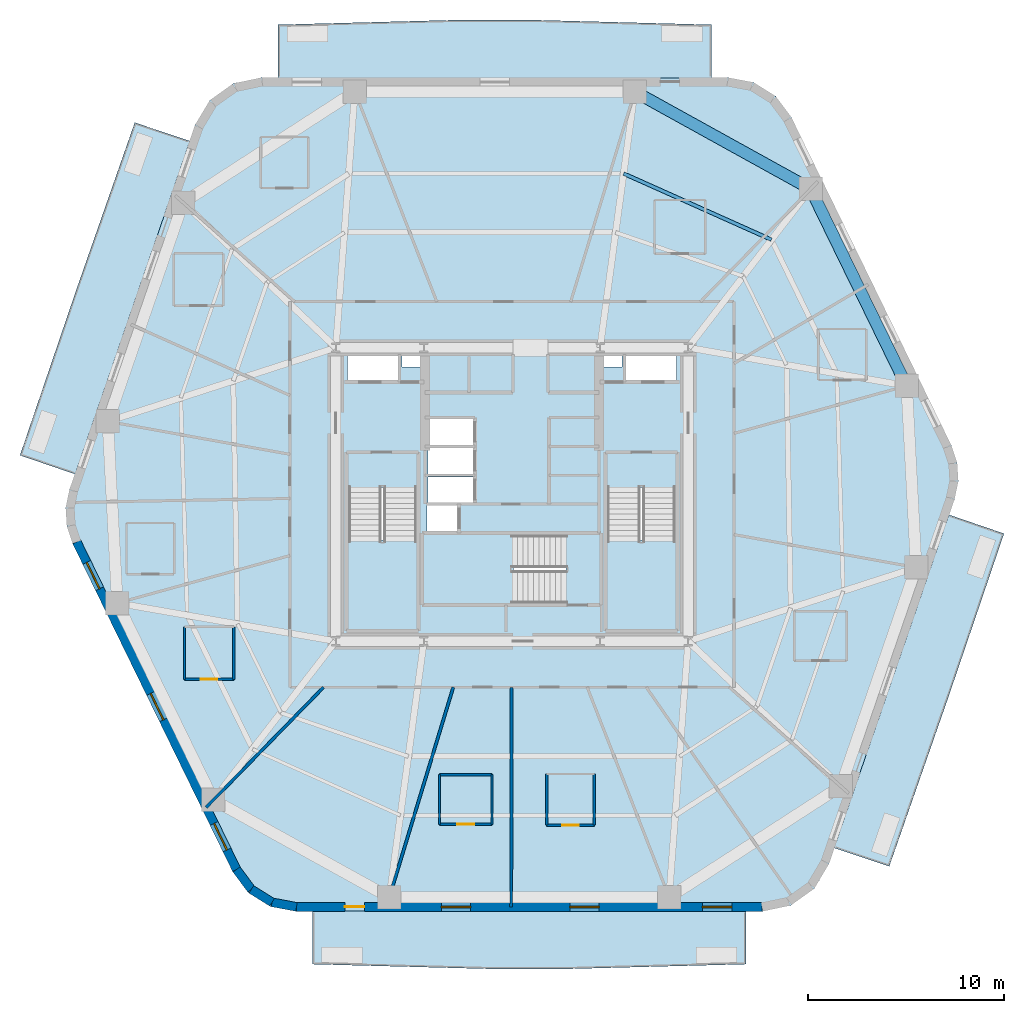
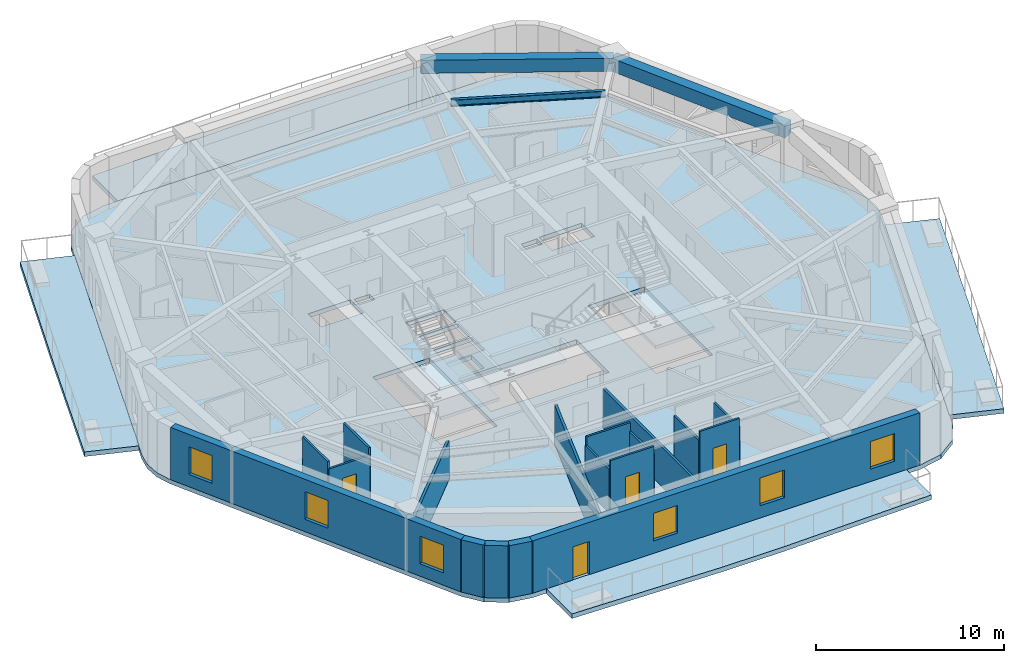
# One storey, part 2 of 8: 18 walls, 8 slabs, 6 windows, 4 doors, 3 beams, 10 openings, 3 elements without a shape of their own.
"""IFC4 building model written with IfcOpenShell, lengths in metres."""

from ifc_helpers import new_model, si_unit, direction, frame, frame_2d, origin, origin_2d, place, context, subcontext, project, spatial, polyline, rectangle, i_section, outline, extrude, material, layer, layer_set, material_profile, profile_set, type_object, element, fill, aggregate, save


model = new_model("IFC4")

# Units and contexts
model_context = context("Model", 3, precision=1e-05, world=origin(), true_north=direction((0.0, 1.0)))
body_context = subcontext(model_context, "Body", "Model", "MODEL_VIEW")
ifc_project = project(units=[si_unit("LENGTHUNIT", "METRE"), si_unit("AREAUNIT", "SQUARE_METRE"), si_unit("VOLUMEUNIT", "CUBIC_METRE"), si_unit("PLANEANGLEUNIT", "RADIAN"), si_unit("MASSUNIT", "GRAM", prefix="KILO")], contexts=[model_context])

# Site, building, storey
site_placement = place(None, origin())
site = spatial("IfcSite", under=ifc_project, at=site_placement, CompositionType="ELEMENT")
building_placement = place(site_placement, origin())
building = spatial("IfcBuilding", under=site, at=building_placement, Name="Kilnhurst Terrace Hotel", CompositionType="ELEMENT")
storey_placement = place(building_placement, frame((0.0, 0.0, 109.89990234375)))
storey = spatial("IfcBuildingStorey", under=building, at=storey_placement, Name="L26", CompositionType="ELEMENT", Elevation=109.89990234375)

# Beams
ifc_material_1 = material(Name="Concrete C50/60", Category="concrete")
ifc_material_profile_1 = material_profile(ifc_material_1, rectangle(XDim=0.60009765625, YDim=0.85009765625, at=origin_2d()), Name="RC600X850")
ifc_profile_set_1 = profile_set([ifc_material_profile_1], Name="Concrete C50/60")
beam_type_1 = type_object("IfcBeamType", Name="BM-SPN-600X850", PredefinedType="SPANDREL", material=ifc_profile_set_1)
beam_1_placement = place(storey_placement, frame((20.1640625, 5.549072265625, 2.97509765625), z_axis=(-0.438406012271, 0.89877704043, 0.0), x_axis=(-0.89877704043, -0.438406012271, 0.0)))
element("IfcBeam", 1, at=beam_1_placement, inside=storey, type_object=beam_type_1, Name="L26 Perimeter Spandrel Beam 5", PredefinedType="SPANDREL", context=body_context, shape_type="SweptSolid", body=[
    extrude(rectangle(XDim=0.60009765625, YDim=0.85009765625, at=origin_2d()), origin(), (0.0, 0.0, 1.0), 11.19287109375),
])
beam_2_placement = place(storey_placement, frame((15.257080078125, 15.60888671875, 2.97509765625), z_axis=(-0.875094010429, 0.483952965598, 0.0), x_axis=(-0.483952965598, -0.875094010429, 0.0)))
element("IfcBeam", 2, at=beam_2_placement, inside=storey, type_object=beam_type_1, Name="L26 Perimeter Spandrel Beam 6", PredefinedType="SPANDREL", context=body_context, shape_type="SweptSolid", body=[
    extrude(rectangle(XDim=0.60009765625, YDim=0.85009765625, at=origin_2d()), origin(), (0.0, 0.0, 1.0), 10.27197265625),
])
ifc_material_2 = material(Name="Steel ASTM A992 Grade 50", Category="steel")
ifc_material_profile_2 = material_profile(ifc_material_2, i_section(OverallWidth=0.180908203125, OverallDepth=0.417236328125, WebThickness=0.010986328125, FlangeThickness=0.018310546875, at=origin_2d()), Name="W16X57")
ifc_profile_set_2 = profile_set([ifc_material_profile_2], Name="Steel ASTM A992 Grade 50")
beam_type_2 = type_object("IfcBeamType", Name="JST-STL-W16X57", PredefinedType="JOIST", material=ifc_profile_set_2)
beam_3_placement = place(storey_placement, frame((13.2548828125, 13.01416015625, 3.191162109375), z_axis=(-0.912760935806, 0.408494154262, 0.0), x_axis=(-0.408494154262, -0.912760935806, 0.0)))
element("IfcBeam", 3, at=beam_3_placement, inside=storey, type_object=beam_type_2, Name="L26 Secondary Floor Steel Joist OUT.6", PredefinedType="JOIST", context=body_context, shape_type="SweptSolid", body=[
    extrude(i_section(OverallWidth=0.180908203125, OverallDepth=0.417236328125, WebThickness=0.010986328125, FlangeThickness=0.018310546875, at=origin_2d()), origin(), (0.0, 0.0, 1.0), 8.274658203125),
])

# Slabs
ifc_layer_1 = layer(ifc_material_1, 0.300048828125, Name="Concrete C50/60")
ifc_layer_set_1 = layer_set([ifc_layer_1], Name="Concrete C50/60")
slab_type_1 = type_object("IfcSlabType", Name="SLB-BAL-300", PredefinedType="FLOOR", material=ifc_layer_set_1)
slab_1_placement = place(storey_placement, frame((0.0, 0.0, -0.2998046875)))
element("IfcSlab", 4, at=slab_1_placement, inside=storey, type_object=slab_type_1, Name="L26 Cantilevered Planted Terrace Slab BAL-L1A", PredefinedType="FLOOR", context=body_context, shape_type="SweptSolid", body=[
    extrude(outline(polyline([(2.787841796875, -24.239990234375), (-1.027099609375, -24.239990234375), (-10.18310546875, -24.0), (-10.18310546875, -21.280029296875), (11.943603515625, -21.280029296875), (11.943603515625, -24.0), (2.787841796875, -24.239990234375)])), origin(), (0.0, 0.0, 1.0), 0.2998046875),
])
slab_2_placement = place(storey_placement, frame((0.0, 0.0, -0.2998046875)))
element("IfcSlab", 5, at=slab_2_placement, inside=storey, type_object=slab_type_1, Name="L26 Cantilevered Planted Terrace Slab BAL-L1B", PredefinedType="FLOOR", context=body_context, shape_type="SweptSolid", body=[
    extrude(outline(polyline([(19.273193359375, -19.0), (16.45751953125, -18.05615234375), (22.319091796875, -1.03466796875), (25.13623046875, -2.0), (22.233154296875, -10.52880859375), (19.273193359375, -19.0)])), origin(), (0.0, 0.0, 1.0), 0.2998046875),
])
slab_3_placement = place(storey_placement, frame((0.0, 0.0, -0.2998046875)))
element("IfcSlab", 6, at=slab_3_placement, inside=storey, type_object=slab_type_1, Name="L26 Cantilevered Planted Terrace Slab BAL-L2A", PredefinedType="FLOOR", context=body_context, shape_type="SweptSolid", body=[
    extrude(outline(polyline([(1.027099609375, 24.239990234375), (10.18310546875, 24.0), (10.18310546875, 21.280029296875), (-11.943603515625, 21.280029296875), (-11.943603515625, 24.0), (-2.787841796875, 24.239990234375), (1.027099609375, 24.239990234375)])), origin(), (0.0, 0.0, 1.0), 0.2998046875),
])
slab_4_placement = place(storey_placement, frame((0.0, 0.0, -0.2998046875)))
element("IfcSlab", 7, at=slab_4_placement, inside=storey, type_object=slab_type_1, Name="L26 Cantilevered Planted Terrace Slab BAL-L2B", PredefinedType="FLOOR", context=body_context, shape_type="SweptSolid", body=[
    extrude(outline(polyline([(-19.273193359375, 19.0), (-16.45751953125, 18.05615234375), (-22.319091796875, 1.03466796875), (-25.13623046875, 2.0), (-22.233154296875, 10.52880859375), (-19.273193359375, 19.0)])), origin(), (0.0, 0.0, 1.0), 0.2998046875),
])
ifc_layer_2 = layer(ifc_material_1, 0.280029296875, Name="Concrete C50/60")
ifc_layer_set_2 = layer_set([ifc_layer_2], Name="Concrete C50/60")
slab_type_2 = type_object("IfcSlabType", Name="SLB-FLR-280", PredefinedType="FLOOR", material=ifc_layer_set_2)
slab_5_placement = place(storey_placement, frame((0.0, 0.0, -0.27978515625)))
element("IfcSlab", 8, at=slab_5_placement, inside=storey, type_object=slab_type_2, Name="L26 Structural Floor Slab", PredefinedType="FLOOR", context=body_context, shape_type="SweptSolid", body=[
    extrude(outline(polyline([(-14.2685546875, -19.2783203125), (-13.472900390625, -20.34716796875), (-12.342529296875, -21.05322265625), (-11.032958984375, -21.300048828125), (12.793701171875, -21.300048828125), (14.23876953125, -20.997314453125), (15.44091796875, -20.139892578125), (16.197509765625, -18.872314453125), (22.614501953125, -0.238525390625), (22.8017578125, 0.6826171875), (22.744384765625, 1.62060546875), (22.4462890625, 2.51171875), (14.2685546875, 19.2783203125), (13.472900390625, 20.34716796875), (12.342529296875, 21.05322265625), (11.032958984375, 21.300048828125), (-12.793701171875, 21.300048828125), (-14.23876953125, 20.997314453125), (-15.44091796875, 20.139892578125), (-16.197509765625, 18.872314453125), (-22.614501953125, 0.238525390625), (-22.8017578125, -0.6826171875), (-22.744384765625, -1.62060546875), (-22.4462890625, -2.51171875), (-14.2685546875, -19.2783203125)]), holes=[polyline([(-8.35009765625, 0.35498046875), (-4.8798828125, 0.35498046875), (-4.8798828125, -6.89990234375), (-8.35009765625, -6.89990234375), (-8.35009765625, 0.35498046875)]), polyline([(-2.800048828125, -1.89990234375), (-4.35009765625, -1.89990234375), (-4.35009765625, -0.550048828125), (-2.800048828125, -0.550048828125), (-2.800048828125, -1.89990234375)]), polyline([(-1.949951171875, -0.429931640625), (-4.300048828125, -0.429931640625), (-4.300048828125, 0.89990234375), (-1.949951171875, 0.89990234375), (-1.949951171875, -0.429931640625)]), polyline([(-4.300048828125, 1.050048828125), (-4.300048828125, 2.3798828125), (-1.949951171875, 2.3798828125), (-1.949951171875, 1.050048828125), (-4.300048828125, 1.050048828125)]), polyline([(-8.39990234375, 5.75), (-8.39990234375, 7.14990234375), (-5.800048828125, 7.14990234375), (-5.800048828125, 5.75), (-8.39990234375, 5.75)]), polyline([(-4.659912109375, 6.52001953125), (-5.6201171875, 6.52001953125), (-5.6201171875, 7.080078125), (-4.659912109375, 7.080078125), (-4.659912109375, 6.52001953125)]), polyline([(2.7548828125, -5.550048828125), (-4.5, -5.550048828125), (-4.5, -2.080078125), (2.7548828125, -2.080078125), (2.7548828125, -5.550048828125)]), polyline([(8.35009765625, 0.35498046875), (8.35009765625, -6.89990234375), (4.8798828125, -6.89990234375), (4.8798828125, 0.35498046875), (8.35009765625, 0.35498046875)]), polyline([(-1.949951171875, 2.530029296875), (-4.300048828125, 2.530029296875), (-4.300048828125, 3.860107421875), (-1.949951171875, 3.860107421875), (-1.949951171875, 2.530029296875)]), polyline([(5.800048828125, 5.75), (5.800048828125, 7.14990234375), (8.39990234375, 7.14990234375), (8.39990234375, 5.75), (5.800048828125, 5.75)]), polyline([(4.659912109375, 6.52001953125), (4.659912109375, 7.080078125), (5.6201171875, 7.080078125), (5.6201171875, 6.52001953125), (4.659912109375, 6.52001953125)])]), origin(), (0.0, 0.0, 1.0), 0.27978515625),
])

# Stair, slab
stair_type = type_object("IfcStairType", Name="STR-CORE-1660", PredefinedType="HALF_TURN_STAIR", material=ifc_material_1)
stair_1_placement = place(storey_placement, origin())
stair_1 = element("IfcStair", 9, at=stair_1_placement, inside=storey, type_object=stair_type, Name="L26 ST-1", PredefinedType="HALF_TURN_STAIR")
ifc_layer_3 = layer(ifc_material_1, 0.199951171875, Name="Concrete C50/60")
ifc_layer_set_3 = layer_set([ifc_layer_3], Name="Concrete C50/60")
slab_type_3 = type_object("IfcSlabType", Name="SLB-ST-LND-200", PredefinedType="LANDING", material=ifc_layer_set_3)
slab_6_placement = place(storey_placement, frame((0.0, 0.0, 1.650146484375)))
slab_6 = element("IfcSlab", 10, at=slab_6_placement, type_object=slab_type_3, Name="ST-1 landing 1", PredefinedType="LANDING", context=body_context, shape_type="SweptSolid", body=[
    extrude(outline(polyline([(-8.429931640625, -2.330078125), (-4.800048828125, -2.330078125), (-4.800048828125, -6.97998046875), (-8.429931640625, -6.97998046875), (-8.429931640625, -2.330078125)])), origin(), (0.0, 0.0, 1.0), 0.199951171875),
])
aggregate(stair_1, [slab_6])

stair_2_placement = place(storey_placement, origin())
stair_2 = element("IfcStair", 11, at=stair_2_placement, inside=storey, type_object=stair_type, Name="L26 ST-2", PredefinedType="HALF_TURN_STAIR")
slab_7_placement = place(storey_placement, frame((0.0, 0.0, 1.650146484375)))
slab_7 = element("IfcSlab", 12, at=slab_7_placement, type_object=slab_type_3, Name="ST-2 landing 1", PredefinedType="LANDING", context=body_context, shape_type="SweptSolid", body=[
    extrude(outline(polyline([(4.800048828125, -2.330078125), (8.429931640625, -2.330078125), (8.429931640625, -6.97998046875), (4.800048828125, -6.97998046875), (4.800048828125, -2.330078125)])), origin(), (0.0, 0.0, 1.0), 0.199951171875),
])
aggregate(stair_2, [slab_7])

stair_3_placement = place(storey_placement, origin())
stair_3 = element("IfcStair", 13, at=stair_3_placement, inside=storey, type_object=stair_type, Name="L26 ST-3", PredefinedType="HALF_TURN_STAIR")
slab_8_placement = place(storey_placement, frame((0.0, 0.0, 1.650146484375)))
slab_8 = element("IfcSlab", 14, at=slab_8_placement, type_object=slab_type_3, Name="ST-3 landing 1", PredefinedType="LANDING", context=body_context, shape_type="SweptSolid", body=[
    extrude(outline(polyline([(0.070068359375, -2.0), (0.070068359375, -5.6298828125), (-4.580078125, -5.6298828125), (-4.580078125, -2.0), (0.070068359375, -2.0)])), origin(), (0.0, 0.0, 1.0), 0.199951171875),
])
aggregate(stair_3, [slab_8])

# Walls
ifc_material_3 = material(Name="Precast concrete C40/50", Category="concrete")
ifc_layer_4 = layer(ifc_material_3, 0.449951171875, Name="Precast concrete C40/50")
ifc_layer_set_4 = layer_set([ifc_layer_4], Name="Precast concrete C40/50")
wall_type_1 = type_object("IfcWallType", Name="WL-BRK-450", PredefinedType="SOLIDWALL", material=ifc_layer_set_4)
wall_1_placement = place(storey_placement, frame((-14.07568359375, -19.16064453125, 0.0), z_axis=(0.0, 0.0, 1.0), x_axis=(0.597226657159, -0.802072515412, 0.0)))
element("IfcWall", 15, at=wall_1_placement, inside=storey, type_object=wall_type_1, Name="L26 Rounded Corner Brick Wall C1.1", PredefinedType="SOLIDWALL", context=body_context, shape_type="SweptSolid", body=[
    extrude(rectangle(XDim=1.269287109375, YDim=0.449951171875, at=frame_2d((0.634765625, 0.0))), origin(), (0.0, 0.0, 1.0), 3.400146484375),
])
wall_2_placement = place(storey_placement, frame((-13.317626953125, -20.1787109375, 0.0), z_axis=(0.0, 0.0, 1.0), x_axis=(0.848031272749, -0.529946186362, 0.0)))
element("IfcWall", 16, at=wall_2_placement, inside=storey, type_object=wall_type_1, Name="L26 Rounded Corner Brick Wall C1.2", PredefinedType="SOLIDWALL", context=body_context, shape_type="SweptSolid", body=[
    extrude(rectangle(XDim=1.248046875, YDim=0.449951171875, at=frame_2d((0.6240234375, 0.0))), origin(), (0.0, 0.0, 1.0), 3.400146484375),
])
wall_3_placement = place(storey_placement, frame((-12.25927734375, -20.840087890625, 0.0), z_axis=(0.0, 0.0, 1.0), x_axis=(0.982730354425, -0.185043374624, 0.0)))
element("IfcWall", 17, at=wall_3_placement, inside=storey, type_object=wall_type_1, Name="L26 Rounded Corner Brick Wall C1.3", PredefinedType="SOLIDWALL", context=body_context, shape_type="SweptSolid", body=[
    extrude(rectangle(XDim=1.269287109375, YDim=0.449951171875, at=frame_2d((0.634765625, 0.0))), origin(), (0.0, 0.0, 1.0), 3.400146484375),
])

# Wall, openings, door, windows
wall_4_placement = place(storey_placement, frame((-11.011962890625, -21.074951171875, 0.0), z_axis=(0.0, 0.0, 1.0), x_axis=(1.0, 0.0, 0.0)))
wall_4 = element("IfcWall", 18, at=wall_4_placement, inside=storey, type_object=wall_type_1, Name="L26 Exterior Brick Facade Wall F1", PredefinedType="SOLIDWALL", context=body_context, shape_type="SweptSolid", body=[
    extrude(rectangle(XDim=23.782470703125, YDim=0.449951171875, at=frame_2d((11.89111328125, 0.0))), origin(), (0.0, 0.0, 1.0), 3.400146484375),
])
opening_1_placement = place(wall_4_placement, frame((2.472900390625, 0.0, 0.0)))
opening_1 = element("IfcOpeningElement", 19, at=opening_1_placement, cuts=wall_4, Name="Opening BD-1000", PredefinedType="OPENING", context=body_context, shape_type="SweptSolid", body=[
    extrude(rectangle(XDim=1.0, YDim=2.14990234375, at=frame_2d((0.5, 1.074951171875))), frame((0.0, 0.23486328125, 0.0), z_axis=(0.0, -1.0, 0.0), x_axis=(1.0, 0.0, 0.0)), (0.0, 0.0, 1.0), 0.469970703125),
])
opening_2_placement = place(wall_4_placement, frame((7.39794921875, 0.0, 0.800048828125)))
opening_2 = element("IfcOpeningElement", 20, at=opening_2_placement, cuts=wall_4, Name="Opening W-02", PredefinedType="OPENING", context=body_context, shape_type="SweptSolid", body=[
    extrude(rectangle(XDim=1.5, YDim=1.800048828125, at=frame_2d((0.75, 0.89990234375))), frame((0.0, 0.23486328125, 0.0), z_axis=(0.0, -1.0, 0.0), x_axis=(1.0, 0.0, 0.0)), (0.0, 0.0, 1.0), 0.469970703125),
])
opening_3_placement = place(wall_4_placement, frame((13.966064453125, 0.0, 0.800048828125)))
opening_3 = element("IfcOpeningElement", 21, at=opening_3_placement, cuts=wall_4, Name="Opening W-02", PredefinedType="OPENING", context=body_context, shape_type="SweptSolid", body=[
    extrude(rectangle(XDim=1.5, YDim=1.800048828125, at=frame_2d((0.75, 0.89990234375))), frame((0.0, 0.23486328125, 0.0), z_axis=(0.0, -1.0, 0.0), x_axis=(1.0, 0.0, 0.0)), (0.0, 0.0, 1.0), 0.469970703125),
])
opening_4_placement = place(wall_4_placement, frame((20.740966796875, 0.0, 0.800048828125)))
opening_4 = element("IfcOpeningElement", 22, at=opening_4_placement, cuts=wall_4, Name="Opening W-02", PredefinedType="OPENING", context=body_context, shape_type="SweptSolid", body=[
    extrude(rectangle(XDim=1.5, YDim=1.800048828125, at=frame_2d((0.75, 0.89990234375))), frame((0.0, 0.23486328125, 0.0), z_axis=(0.0, -1.0, 0.0), x_axis=(1.0, 0.0, 0.0)), (0.0, 0.0, 1.0), 0.469970703125),
])
ifc_material_4 = material(Name="Thermally Broken Bronze Aluminium Alloy 6063-T6 and Laminated Glass", Category="aluminium")
door_type_1 = type_object("IfcDoorType", Name="DR-EXT-BAL-1000", OperationType="NOTDEFINED", PredefinedType="DOOR", material=ifc_material_4)
door_1_placement = place(opening_1_placement, origin())
door_1 = element("IfcDoor", 23, at=door_1_placement, inside=storey, type_object=door_type_1, Name="L26 Planted Balcony Door BAL-L1A", OperationType="SINGLE_SWING_LEFT", OverallHeight=2.14990234375, OverallWidth=1.0, PredefinedType="DOOR", context=body_context, shape_type="SweptSolid", body=[
    extrude(rectangle(XDim=1.0, YDim=2.14990234375, at=frame_2d((0.5, 1.074951171875))), frame((0.0, 0.02490234375, 0.0), z_axis=(0.0, -1.0, 0.0), x_axis=(1.0, 0.0, 0.0)), (0.0, 0.0, 1.0), 0.050048828125),
])
fill(opening_1, door_1)
ifc_material_5 = material(Name="Thermally Broken Bronze Aluminium Alloy 6063-T6 and Low-E Glass", Category="aluminium")
window_type = type_object("IfcWindowType", Name="WIN-1500X1800", PartitioningType="SINGLE_PANEL", PredefinedType="WINDOW", material=ifc_material_5)
window_1_placement = place(opening_2_placement, origin())
window_1 = element("IfcWindow", 24, at=window_1_placement, inside=storey, type_object=window_type, Name="L26 Deep-Set Masonry Window F1.1", OverallHeight=1.800048828125, OverallWidth=1.5, PartitioningType="SINGLE_PANEL", PredefinedType="WINDOW", context=body_context, shape_type="SweptSolid", body=[
    extrude(rectangle(XDim=1.5, YDim=1.800048828125, at=frame_2d((0.75, 0.89990234375))), frame((0.0, 0.030029296875, 0.0), z_axis=(0.0, -1.0, 0.0), x_axis=(1.0, 0.0, 0.0)), (0.0, 0.0, 1.0), 0.06005859375),
])
fill(opening_2, window_1)
window_2_placement = place(opening_3_placement, origin())
window_2 = element("IfcWindow", 25, at=window_2_placement, inside=storey, type_object=window_type, Name="L26 Deep-Set Masonry Window F1.2", OverallHeight=1.800048828125, OverallWidth=1.5, PartitioningType="SINGLE_PANEL", PredefinedType="WINDOW", context=body_context, shape_type="SweptSolid", body=[
    extrude(rectangle(XDim=1.5, YDim=1.800048828125, at=frame_2d((0.75, 0.89990234375))), frame((0.0, 0.030029296875, 0.0), z_axis=(0.0, -1.0, 0.0), x_axis=(1.0, 0.0, 0.0)), (0.0, 0.0, 1.0), 0.06005859375),
])
fill(opening_3, window_2)
window_3_placement = place(opening_4_placement, origin())
window_3 = element("IfcWindow", 26, at=window_3_placement, inside=storey, type_object=window_type, Name="L26 Deep-Set Masonry Window F1.3", OverallHeight=1.800048828125, OverallWidth=1.5, PartitioningType="SINGLE_PANEL", PredefinedType="WINDOW", context=body_context, shape_type="SweptSolid", body=[
    extrude(rectangle(XDim=1.5, YDim=1.800048828125, at=frame_2d((0.75, 0.89990234375))), frame((0.0, 0.030029296875, 0.0), z_axis=(0.0, -1.0, 0.0), x_axis=(1.0, 0.0, 0.0)), (0.0, 0.0, 1.0), 0.06005859375),
])
fill(opening_4, window_3)

# Wall, openings, windows
wall_5_placement = place(storey_placement, frame((-22.237548828125, -2.426513671875, 0.0), z_axis=(0.0, 0.0, 1.0), x_axis=(0.438374803278, -0.898792262901, 0.0)))
wall_5 = element("IfcWall", 27, at=wall_5_placement, inside=storey, type_object=wall_type_1, Name="L26 Exterior Brick Facade Wall F6", PredefinedType="SOLIDWALL", context=body_context, shape_type="SweptSolid", body=[
    extrude(rectangle(XDim=18.618408203125, YDim=0.449951171875, at=frame_2d((9.30908203125, 0.0))), origin(), (0.0, 0.0, 1.0), 3.400146484375),
])
opening_5_placement = place(wall_5_placement, frame((1.1630859375, 0.0, 0.800048828125)))
opening_5 = element("IfcOpeningElement", 28, at=opening_5_placement, cuts=wall_5, Name="Opening W-02", PredefinedType="OPENING", context=body_context, shape_type="SweptSolid", body=[
    extrude(rectangle(XDim=1.5, YDim=1.800048828125, at=frame_2d((0.75, 0.89990234375))), frame((0.0, 0.23486328125, 0.0), z_axis=(0.0, -1.0, 0.0), x_axis=(1.0, 0.0, 0.0)), (0.0, 0.0, 1.0), 0.469970703125),
])
opening_6_placement = place(wall_5_placement, frame((8.610107421875, 0.0, 0.800048828125)))
opening_6 = element("IfcOpeningElement", 29, at=opening_6_placement, cuts=wall_5, Name="Opening W-02", PredefinedType="OPENING", context=body_context, shape_type="SweptSolid", body=[
    extrude(rectangle(XDim=1.5, YDim=1.800048828125, at=frame_2d((0.75, 0.89990234375))), frame((0.0, 0.23486328125, 0.0), z_axis=(0.0, -1.0, 0.0), x_axis=(1.0, 0.0, 0.0)), (0.0, 0.0, 1.0), 0.469970703125),
])
opening_7_placement = place(wall_5_placement, frame((16.006103515625, 0.0, 0.800048828125)))
opening_7 = element("IfcOpeningElement", 30, at=opening_7_placement, cuts=wall_5, Name="Opening W-02", PredefinedType="OPENING", context=body_context, shape_type="SweptSolid", body=[
    extrude(rectangle(XDim=1.5, YDim=1.800048828125, at=frame_2d((0.75, 0.89990234375))), frame((0.0, 0.23486328125, 0.0), z_axis=(0.0, -1.0, 0.0), x_axis=(1.0, 0.0, 0.0)), (0.0, 0.0, 1.0), 0.469970703125),
])
window_4_placement = place(opening_5_placement, origin())
window_4 = element("IfcWindow", 31, at=window_4_placement, inside=storey, type_object=window_type, Name="L26 Deep-Set Masonry Window F6.1", OverallHeight=1.800048828125, OverallWidth=1.5, PartitioningType="SINGLE_PANEL", PredefinedType="WINDOW", context=body_context, shape_type="SweptSolid", body=[
    extrude(rectangle(XDim=1.5, YDim=1.800048828125, at=frame_2d((0.75, 0.89990234375))), frame((0.0, 0.030029296875, 0.0), z_axis=(0.0, -1.0, 0.0), x_axis=(1.0, 0.0, 0.0)), (0.0, 0.0, 1.0), 0.06005859375),
])
fill(opening_5, window_4)
window_5_placement = place(opening_6_placement, origin())
window_5 = element("IfcWindow", 32, at=window_5_placement, inside=storey, type_object=window_type, Name="L26 Deep-Set Masonry Window F6.2", OverallHeight=1.800048828125, OverallWidth=1.5, PartitioningType="SINGLE_PANEL", PredefinedType="WINDOW", context=body_context, shape_type="SweptSolid", body=[
    extrude(rectangle(XDim=1.5, YDim=1.800048828125, at=frame_2d((0.75, 0.89990234375))), frame((0.0, 0.030029296875, 0.0), z_axis=(0.0, -1.0, 0.0), x_axis=(1.0, 0.0, 0.0)), (0.0, 0.0, 1.0), 0.06005859375),
])
fill(opening_6, window_5)
window_6_placement = place(opening_7_placement, origin())
window_6 = element("IfcWindow", 33, at=window_6_placement, inside=storey, type_object=window_type, Name="L26 Deep-Set Masonry Window F6.3", OverallHeight=1.800048828125, OverallWidth=1.5, PartitioningType="SINGLE_PANEL", PredefinedType="WINDOW", context=body_context, shape_type="SweptSolid", body=[
    extrude(rectangle(XDim=1.5, YDim=1.800048828125, at=frame_2d((0.75, 0.89990234375))), frame((0.0, 0.030029296875, 0.0), z_axis=(0.0, -1.0, 0.0), x_axis=(1.0, 0.0, 0.0)), (0.0, 0.0, 1.0), 0.06005859375),
])
fill(opening_7, window_6)

# Walls
ifc_material_6 = material(Name="STC-58 Acoustic Twin-Frame Guestroom Demising Partition")
ifc_layer_5 = layer(ifc_material_6, 0.14990234375, Name="STC-58 Acoustic Twin-Frame Guestroom Demising Partition")
ifc_layer_set_5 = layer_set([ifc_layer_5], Name="STC-58 Acoustic Twin-Frame Guestroom Demising Partition")
wall_type_2 = type_object("IfcWallType", Name="WL-DEM-150", PredefinedType="PARTITIONING", material=ifc_layer_set_5)
wall_6_placement = place(storey_placement, frame((-9.6279296875, -9.85009765625, 0.0), z_axis=(0.0, 0.0, 1.0), x_axis=(-0.698992824326, -0.715128681805, 0.0)))
element("IfcWall", 34, at=wall_6_placement, inside=storey, type_object=wall_type_2, Name="L26 Interior Wall WL-L26-DEM-COL08-11-1", PredefinedType="PARTITIONING", context=body_context, shape_type="SweptSolid", body=[
    extrude(rectangle(XDim=8.578857421875, YDim=0.14990234375, at=frame_2d((4.28955078125, 0.0))), origin(), (0.0, 0.0, 1.0), 2.5400390625),
])
wall_7_placement = place(storey_placement, frame((-3.0, -9.85009765625, 0.0), z_axis=(0.0, 0.0, 1.0), x_axis=(-0.291352035382, -0.95661590593, 0.0)))
element("IfcWall", 35, at=wall_7_placement, inside=storey, type_object=wall_type_2, Name="L26 Interior Wall WL-L26-DEM-COL09-12-1", PredefinedType="PARTITIONING", context=body_context, shape_type="SweptSolid", body=[
    extrude(rectangle(XDim=11.73388671875, YDim=0.14990234375, at=frame_2d((5.866943359375, 0.0))), origin(), (0.0, 0.0, 1.0), 2.5400390625),
])
wall_8_placement = place(storey_placement, frame((-0.018798828125, -9.85009765625, 0.0), z_axis=(0.0, 0.0, 1.0), x_axis=(-0.001913996973, -0.999998168306, 0.0)))
element("IfcWall", 36, at=wall_8_placement, inside=storey, type_object=wall_type_2, Name="L26 Interior Wall WL-L26-DEM-MID09-13-1", PredefinedType="PARTITIONING", context=body_context, shape_type="SweptSolid", body=[
    extrude(rectangle(XDim=11.224853515625, YDim=0.14990234375, at=frame_2d((5.6123046875, 0.0))), origin(), (0.0, 0.0, 1.0), 2.5400390625),
])

# Wall, opening, door
ifc_material_7 = material(Name="120 mm Moisture-Resistant Tile-Backed Bathroom Partition")
ifc_layer_6 = layer(ifc_material_7, 0.1201171875, Name="120 mm Moisture-Resistant Tile-Backed Bathroom Partition")
ifc_layer_set_6 = layer_set([ifc_layer_6], Name="120 mm Moisture-Resistant Tile-Backed Bathroom Partition")
wall_type_3 = type_object("IfcWallType", Name="WL-PART-120", PredefinedType="PARTITIONING", material=ifc_layer_set_6)
wall_9_placement = place(storey_placement, frame((-16.735107421875, -9.445068359375, 0.0), z_axis=(0.0, 0.0, 1.0), x_axis=(1.0, 0.0, 0.0)))
wall_9 = element("IfcWall", 37, at=wall_9_placement, inside=storey, type_object=wall_type_3, Name="L26 Interior Wall WL-L26-BTH-10-1", PredefinedType="PARTITIONING", context=body_context, shape_type="SweptSolid", body=[
    extrude(rectangle(XDim=2.52001953125, YDim=0.1201171875, at=frame_2d((1.260009765625, 0.0))), origin(), (0.0, 0.0, 1.0), 2.926513671875),
])
opening_8_placement = place(wall_9_placement, frame((0.8349609375, 0.0, 0.0)))
opening_8 = element("IfcOpeningElement", 38, at=opening_8_placement, cuts=wall_9, Name="Opening D-08A", PredefinedType="OPENING", context=body_context, shape_type="SweptSolid", body=[
    extrude(rectangle(XDim=0.85009765625, YDim=2.030029296875, at=frame_2d((0.425048828125, 1.01513671875))), frame((0.0, 0.070068359375, 0.0), z_axis=(0.0, -1.0, 0.0), x_axis=(1.0, 0.0, 0.0)), (0.0, 0.0, 1.0), 0.14013671875),
])
ifc_material_8 = material(Name="Moisture-Resistant Lacquered En-suite Bathroom Door")
door_type_2 = type_object("IfcDoorType", Name="DR-INT-850", OperationType="NOTDEFINED", PredefinedType="DOOR", material=ifc_material_8)
door_2_placement = place(opening_8_placement, origin())
door_2 = element("IfcDoor", 39, at=door_2_placement, inside=storey, type_object=door_type_2, Name="L26 En-suite Bathroom Door 10", OperationType="SINGLE_SWING_LEFT", OverallHeight=2.030029296875, OverallWidth=0.85009765625, PredefinedType="DOOR", context=body_context, shape_type="SweptSolid", body=[
    extrude(rectangle(XDim=0.85009765625, YDim=2.030029296875, at=frame_2d((0.425048828125, 1.01513671875))), frame((0.0, 0.02490234375, 0.0), z_axis=(0.0, -1.0, 0.0), x_axis=(1.0, 0.0, 0.0)), (0.0, 0.0, 1.0), 0.050048828125),
])
fill(opening_8, door_2)

# Walls
for number, where, z_axis, x_axis, name in (
    (40, (-14.215087890625, -9.445068359375, 0.0), (0.0, 0.0, 1.0), (0.0, 1.0, 0.0), "L26 Interior Wall WL-L26-BTH-10-2"),
    (41, (-16.735107421875, -6.764892578125, 0.0), (0.0, 0.0, 1.0), (0.0, -1.0, 0.0), "L26 Interior Wall WL-L26-BTH-10-4"),
):
    element("IfcWall", number, at=place(storey_placement, frame(where, z_axis=z_axis, x_axis=x_axis)), inside=storey, type_object=wall_type_3, Name=name, PredefinedType="PARTITIONING", context=body_context, shape_type="SweptSolid", body=[
        extrude(rectangle(XDim=2.68017578125, YDim=0.1201171875, at=frame_2d((1.340087890625, 0.0))), origin(), (0.0, 0.0, 1.0), 3.400146484375),
    ])

# Wall, opening, door
wall_10_placement = place(storey_placement, frame((-3.705078125, -16.85693359375, 0.0), z_axis=(0.0, 0.0, 1.0), x_axis=(1.0, 0.0, 0.0)))
wall_10 = element("IfcWall", 42, at=wall_10_placement, inside=storey, type_object=wall_type_3, Name="L26 Interior Wall WL-L26-BTH-12-1", PredefinedType="PARTITIONING", context=body_context, shape_type="SweptSolid", body=[
    extrude(rectangle(XDim=2.68017578125, YDim=0.1201171875, at=frame_2d((1.340087890625, 0.0))), origin(), (0.0, 0.0, 1.0), 3.400146484375),
])
opening_9_placement = place(wall_10_placement, frame((0.9150390625, 0.0, 0.0)))
opening_9 = element("IfcOpeningElement", 43, at=opening_9_placement, cuts=wall_10, Name="Opening D-08A", PredefinedType="OPENING", context=body_context, shape_type="SweptSolid", body=[
    extrude(rectangle(XDim=0.85009765625, YDim=2.030029296875, at=frame_2d((0.425048828125, 1.01513671875))), frame((0.0, 0.070068359375, 0.0), z_axis=(0.0, -1.0, 0.0), x_axis=(1.0, 0.0, 0.0)), (0.0, 0.0, 1.0), 0.14013671875),
])
door_3_placement = place(opening_9_placement, origin())
door_3 = element("IfcDoor", 44, at=door_3_placement, inside=storey, type_object=door_type_2, Name="L26 En-suite Bathroom Door 12", OperationType="SINGLE_SWING_LEFT", OverallHeight=2.030029296875, OverallWidth=0.85009765625, PredefinedType="DOOR", context=body_context, shape_type="SweptSolid", body=[
    extrude(rectangle(XDim=0.85009765625, YDim=2.030029296875, at=frame_2d((0.425048828125, 1.01513671875))), frame((0.0, 0.02490234375, 0.0), z_axis=(0.0, -1.0, 0.0), x_axis=(1.0, 0.0, 0.0)), (0.0, 0.0, 1.0), 0.050048828125),
])
fill(opening_9, door_3)

# Walls
wall_11_placement = place(storey_placement, frame((-1.02490234375, -16.85693359375, 0.0), z_axis=(0.0, 0.0, 1.0), x_axis=(0.0, 1.0, 0.0)))
element("IfcWall", 45, at=wall_11_placement, inside=storey, type_object=wall_type_3, Name="L26 Interior Wall WL-L26-BTH-12-2", PredefinedType="PARTITIONING", context=body_context, shape_type="SweptSolid", body=[
    extrude(rectangle(XDim=2.5400390625, YDim=0.1201171875, at=frame_2d((1.27001953125, 0.0))), origin(), (0.0, 0.0, 1.0), 2.840576171875),
])
wall_12_placement = place(storey_placement, frame((-1.02490234375, -14.31689453125, 0.0), z_axis=(0.0, 0.0, 1.0), x_axis=(-1.0, 0.0, 0.0)))
element("IfcWall", 46, at=wall_12_placement, inside=storey, type_object=wall_type_3, Name="L26 Interior Wall WL-L26-BTH-12-3", PredefinedType="PARTITIONING", context=body_context, shape_type="SweptSolid", body=[
    extrude(rectangle(XDim=2.68017578125, YDim=0.1201171875, at=frame_2d((1.340087890625, 0.0))), origin(), (0.0, 0.0, 1.0), 3.400146484375),
])
wall_13_placement = place(storey_placement, frame((-3.705078125, -14.31689453125, 0.0), z_axis=(0.0, 0.0, 1.0), x_axis=(0.0, -1.0, 0.0)))
element("IfcWall", 47, at=wall_13_placement, inside=storey, type_object=wall_type_3, Name="L26 Interior Wall WL-L26-BTH-12-4", PredefinedType="PARTITIONING", context=body_context, shape_type="SweptSolid", body=[
    extrude(rectangle(XDim=2.5400390625, YDim=0.1201171875, at=frame_2d((1.27001953125, 0.0))), origin(), (0.0, 0.0, 1.0), 2.840576171875),
])

# Wall, opening, door
wall_14_placement = place(storey_placement, frame((1.76708984375, -16.89208984375, 0.0), z_axis=(0.0, 0.0, 1.0), x_axis=(1.0, 0.0, 0.0)))
wall_14 = element("IfcWall", 48, at=wall_14_placement, inside=storey, type_object=wall_type_3, Name="L26 Interior Wall WL-L26-BTH-13-1", PredefinedType="PARTITIONING", context=body_context, shape_type="SweptSolid", body=[
    extrude(rectangle(XDim=2.43994140625, YDim=0.1201171875, at=frame_2d((1.219970703125, 0.0))), origin(), (0.0, 0.0, 1.0), 3.400146484375),
])
opening_10_placement = place(wall_14_placement, frame((0.794921875, 0.0, 0.0)))
opening_10 = element("IfcOpeningElement", 49, at=opening_10_placement, cuts=wall_14, Name="Opening D-08A", PredefinedType="OPENING", context=body_context, shape_type="SweptSolid", body=[
    extrude(rectangle(XDim=0.85009765625, YDim=2.030029296875, at=frame_2d((0.425048828125, 1.01513671875))), frame((0.0, 0.070068359375, 0.0), z_axis=(0.0, -1.0, 0.0), x_axis=(1.0, 0.0, 0.0)), (0.0, 0.0, 1.0), 0.14013671875),
])
door_4_placement = place(opening_10_placement, origin())
door_4 = element("IfcDoor", 50, at=door_4_placement, inside=storey, type_object=door_type_2, Name="L26 En-suite Bathroom Door 13", OperationType="SINGLE_SWING_RIGHT", OverallHeight=2.030029296875, OverallWidth=0.85009765625, PredefinedType="DOOR", context=body_context, shape_type="SweptSolid", body=[
    extrude(rectangle(XDim=0.85009765625, YDim=2.030029296875, at=frame_2d((0.425048828125, 1.01513671875))), frame((0.0, 0.02490234375, 0.0), z_axis=(0.0, -1.0, 0.0), x_axis=(1.0, 0.0, 0.0)), (0.0, 0.0, 1.0), 0.050048828125),
])
fill(opening_10, door_4)

# Walls
for number, where, z_axis, x_axis, name in (
    (51, (4.20703125, -16.89208984375, 0.0), (0.0, 0.0, 1.0), (0.0, 1.0, 0.0), "L26 Interior Wall WL-L26-BTH-13-2"),
    (52, (1.76708984375, -14.281982421875, 0.0), (0.0, 0.0, 1.0), (0.0, -1.0, 0.0), "L26 Interior Wall WL-L26-BTH-13-4"),
):
    element("IfcWall", number, at=place(storey_placement, frame(where, z_axis=z_axis, x_axis=x_axis)), inside=storey, type_object=wall_type_3, Name=name, PredefinedType="PARTITIONING", context=body_context, shape_type="SweptSolid", body=[
        extrude(rectangle(XDim=2.610107421875, YDim=0.1201171875, at=frame_2d((1.30517578125, 0.0))), origin(), (0.0, 0.0, 1.0), 2.840576171875),
    ])

save(model, "model.ifc")
